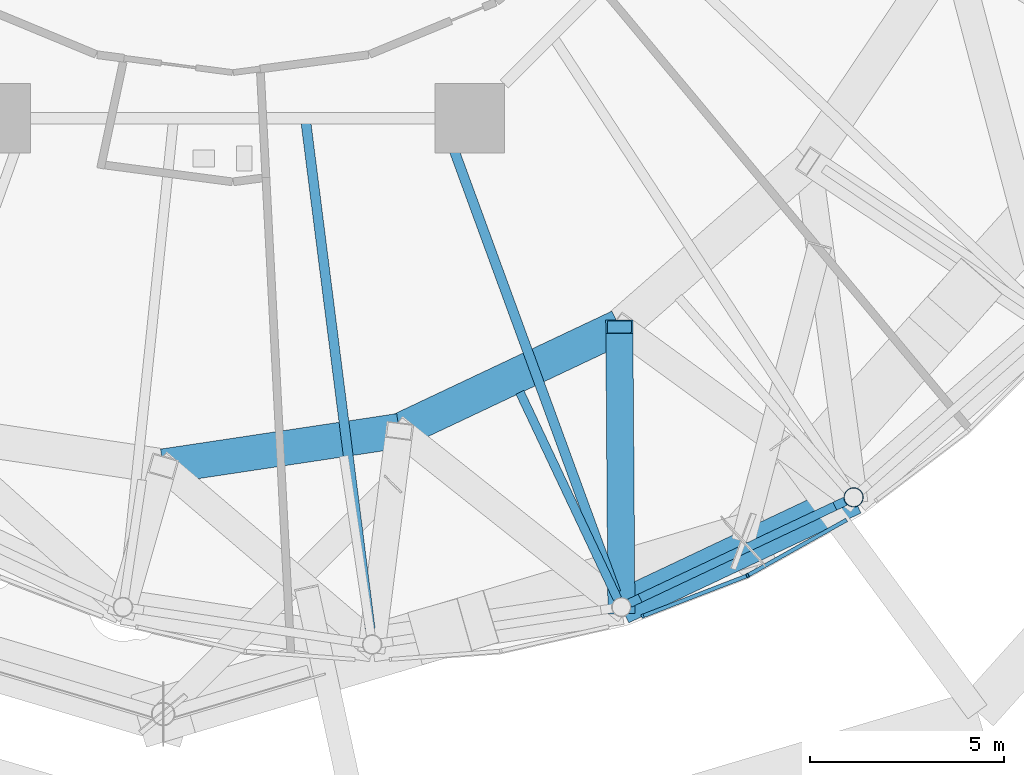
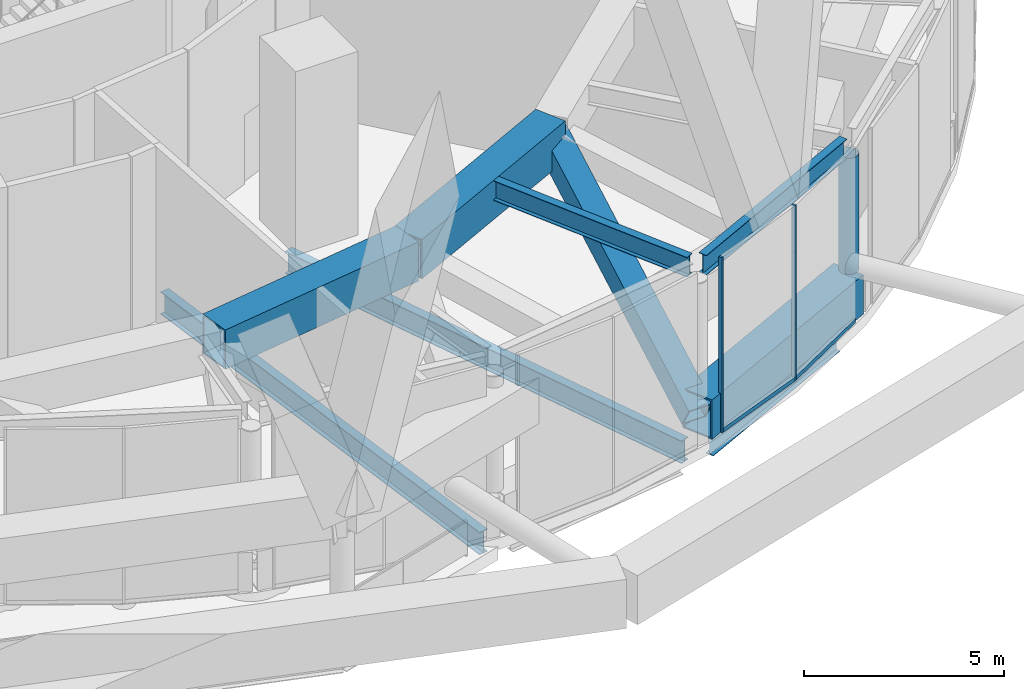
# One storey, part 16 of 60: 9 beams, 5 members, 2 elements without a shape of their own.
"""IFC4 building model written with IfcOpenShell, lengths in metres."""

from ifc_helpers import new_model, si_unit, direction, frame, origin, origin_2d, place, context, subcontext, project, spatial, rectangle, hollow_rectangle, hollow_circle, i_section, extrude, material, layer, layer_set, material_profile, profile_set, type_object, element, aggregate, save


model = new_model("IFC4")

# Units and contexts
model_context = context("Model", 3, precision=1e-05, world=origin(), true_north=direction((0.0, 1.0)))
body_context = subcontext(model_context, "Body", "Model", "MODEL_VIEW")
ifc_project = project(units=[si_unit("LENGTHUNIT", "METRE"), si_unit("AREAUNIT", "SQUARE_METRE"), si_unit("VOLUMEUNIT", "CUBIC_METRE"), si_unit("PLANEANGLEUNIT", "RADIAN"), si_unit("MASSUNIT", "GRAM", prefix="KILO")], contexts=[model_context])

# Site, building, storey
site_placement = place(None, origin())
site = spatial("IfcSite", under=ifc_project, at=site_placement, CompositionType="ELEMENT")
building_placement = place(site_placement, origin())
building = spatial("IfcBuilding", under=site, at=building_placement, Name="Nagisa Residences", CompositionType="ELEMENT")
storey_placement = place(building_placement, frame((0.0, 0.0, 206.60009765625)))
storey = spatial("IfcBuildingStorey", under=building, at=storey_placement, Name="L52", CompositionType="ELEMENT", Elevation=206.60009765625)

# Beams
ifc_material_1 = material(Name="Steel ASTM A572 Gr 50", Category="steel")
ifc_material_profile_1 = material_profile(ifc_material_1, hollow_rectangle(XDim=0.89990234375, YDim=1.199951171875, WallThickness=0.044921875, at=origin_2d()), Name="BX 900x1200x45")
ifc_profile_set_1 = profile_set([ifc_material_profile_1], Name="Steel ASTM A572 Gr 50")
beam_type_1 = type_object("IfcBeamType", Name="Belt chord 4 BX 900x1200x45", PredefinedType="BEAM", material=ifc_profile_set_1)
beam_1_placement = place(storey_placement, frame((-1.800048828125, -23.772216796875, 4.739990234375), z_axis=(0.988907595105, 0.14853204484, 0.0), x_axis=(-0.14853204484, 0.988907595105, 0.0)))
element("IfcBeam", 1, at=beam_1_placement, inside=storey, type_object=beam_type_1, Name="beam:L52:bt4t19", PredefinedType="BEAM", context=body_context, shape_type="SweptSolid", body=[
    extrude(hollow_rectangle(XDim=0.89990234375, YDim=1.199951171875, WallThickness=0.044921875, at=origin_2d()), origin(), (0.0, 0.0, 1.0), 6.168701171875),
])
beam_2_placement = place(storey_placement, frame((10.0380859375, -27.408203125, 0.599853515625), z_axis=(0.9041547037, 0.427205186973, 0.0), x_axis=(-0.427205186973, 0.9041547037, 0.0)))
element("IfcBeam", 2, at=beam_2_placement, inside=storey, type_object=beam_type_1, Name="beam:L52:bt4b20", PredefinedType="BEAM", context=body_context, shape_type="SweptSolid", body=[
    extrude(hollow_rectangle(XDim=0.89990234375, YDim=1.199951171875, WallThickness=0.044921875, at=origin_2d()), origin(), (0.0, 0.0, 1.0), 6.635498046875),
])
beam_3_placement = place(storey_placement, frame((4.30029296875, -22.85595703125, 4.739990234375), z_axis=(0.904139086666, 0.427238237946, 0.0), x_axis=(-0.427238237946, 0.904139086666, 0.0)))
element("IfcBeam", 3, at=beam_3_placement, inside=storey, type_object=beam_type_1, Name="beam:L52:bt4t20", PredefinedType="BEAM", context=body_context, shape_type="SweptSolid", body=[
    extrude(hollow_rectangle(XDim=0.89990234375, YDim=1.199951171875, WallThickness=0.044921875, at=origin_2d()), origin(), (0.0, 0.0, 1.0), 6.28759765625),
])
ifc_material_2 = material(Name="Steel ASTM A572 Gr 50", Category="steel")
ifc_material_profile_2 = material_profile(ifc_material_2, hollow_rectangle(XDim=0.699951171875, YDim=0.699951171875, WallThickness=0.0400390625, at=origin_2d()), Name="BX 700x700x40")
ifc_profile_set_2 = profile_set([ifc_material_profile_2], Name="Steel ASTM A572 Gr 50")
beam_type_2 = type_object("IfcBeamType", Name="Belt diagonal 4 BX 700x700x40", PredefinedType="BEAM", material=ifc_profile_set_2)
beam_4_placement = place(storey_placement, frame((10.0380859375, -27.408203125, 0.599853515625), z_axis=(-0.006353062134, 0.868027369618, 0.496475703531), x_axis=(-0.99997321745, -0.007318769206, 0.0)))
element("IfcBeam", 4, at=beam_4_placement, inside=storey, type_object=beam_type_2, Name="beam:L52:bt4db20", PredefinedType="BEAM", context=body_context, shape_type="SweptSolid", body=[
    extrude(hollow_rectangle(XDim=0.699951171875, YDim=0.699951171875, WallThickness=0.0400390625, at=origin_2d()), origin(), (0.0, 0.0, 1.0), 8.339111328125),
])

# Curtain wall, member
ifc_material_3 = material(Name="Aluminium curtain wall system", Category="aluminium")
ifc_layer = layer(ifc_material_3, 0.159912109375)
ifc_layer_set = layer_set([ifc_layer], Name="CW5 CURTAIN WALL")
curtain_wall_type = type_object("IfcCurtainWallType", Name="CW5 CURTAIN WALL", PredefinedType="NOTDEFINED", material=ifc_layer_set)
curtain_wall_1_placement = place(storey_placement, origin())
curtain_wall_1 = element("IfcCurtainWall", 5, at=curtain_wall_1_placement, inside=storey, type_object=curtain_wall_type, Name="cw:CW5:L52:38", PredefinedType="NOTDEFINED")
ifc_material_4 = material(Name="Aluminium", Category="aluminium")
ifc_material_profile_3 = material_profile(ifc_material_4, rectangle(XDim=0.10009765625, YDim=0.06005859375, at=origin_2d()), Name="CW5 MULLION 100x60")
ifc_profile_set_3 = profile_set([ifc_material_profile_3], Name="Aluminium")
member_type_1 = type_object("IfcMemberType", Name="CW5 MULLION 100x60", PredefinedType="MULLION", material=ifc_profile_set_3)
member_1_placement = place(storey_placement, frame((10.58642578125, -27.6435546875, 0.0), z_axis=(0.0, 0.0, 1.0), x_axis=(-0.360327770268, 0.932825759707, 0.0)))
member_1 = element("IfcMember", 6, at=member_1_placement, type_object=member_type_1, Name="CW5 mullion", PredefinedType="MULLION", context=body_context, shape_type="SweptSolid", body=[
    extrude(rectangle(XDim=0.10009765625, YDim=0.06005859375, at=origin_2d()), origin(), (0.0, 0.0, 1.0), 5.33984375),
])

curtain_wall_2_placement = place(storey_placement, origin())
curtain_wall_2 = element("IfcCurtainWall", 7, at=curtain_wall_2_placement, inside=storey, type_object=curtain_wall_type, Name="cw:CW5:L52:39", PredefinedType="NOTDEFINED")
member_2_placement = place(storey_placement, frame((13.297607421875, -26.592529296875, 0.0), z_axis=(0.0, 0.0, 1.0), x_axis=(-0.489376918501, 0.872072377523, 0.0)))
member_2 = element("IfcMember", 8, at=member_2_placement, type_object=member_type_1, Name="CW5 mullion", PredefinedType="MULLION", context=body_context, shape_type="SweptSolid", body=[
    extrude(rectangle(XDim=0.10009765625, YDim=0.06005859375, at=origin_2d()), origin(), (0.0, 0.0, 1.0), 5.33984375),
])

# Member
ifc_material_5 = material(Name="Aluminium", Category="aluminium")
ifc_material_profile_4 = material_profile(ifc_material_5, rectangle(XDim=0.10009765625, YDim=0.1201171875, at=origin_2d()), Name="CW5 TRANSOM 100x120")
ifc_profile_set_4 = profile_set([ifc_material_profile_4], Name="Aluminium")
member_type_2 = type_object("IfcMemberType", Name="CW5 TRANSOM 100x120", PredefinedType="USERDEFINED", material=ifc_profile_set_4)
member_3_placement = place(storey_placement, frame((10.55859375, -27.654296875, 0.059814453125), z_axis=(0.932812191101, 0.360362895056, 0.0), x_axis=(-0.360362895056, 0.932812191101, 0.0)))
member_3 = element("IfcMember", 9, at=member_3_placement, type_object=member_type_2, Name="CW5 transom", ObjectType="TRANSOM", PredefinedType="USERDEFINED", context=body_context, shape_type="SweptSolid", body=[
    extrude(rectangle(XDim=0.10009765625, YDim=0.1201171875, at=origin_2d()), origin(), (0.0, 0.0, 1.0), 2.919189453125),
])

aggregate(curtain_wall_1, [member_1, member_3])

member_4_placement = place(storey_placement, frame((13.271484375, -26.607177734375, 0.059814453125), z_axis=(0.872089879438, 0.489345728685, 0.0), x_axis=(-0.489345728685, 0.872089879438, 0.0)))
member_4 = element("IfcMember", 10, at=member_4_placement, type_object=member_type_2, Name="CW5 transom", ObjectType="TRANSOM", PredefinedType="USERDEFINED", context=body_context, shape_type="SweptSolid", body=[
    extrude(rectangle(XDim=0.10009765625, YDim=0.1201171875, at=origin_2d()), origin(), (0.0, 0.0, 1.0), 2.963623046875),
])

aggregate(curtain_wall_2, [member_2, member_4])

# Beam
ifc_material_6 = material(Name="Steel ASTM A572 Gr 50", Category="steel")
ifc_material_profile_5 = material_profile(ifc_material_6, i_section(OverallWidth=0.22802734375, OverallDepth=0.60302734375, WebThickness=0.010498046875, FlangeThickness=0.014892578125, at=origin_2d()), Name="W610x101")
ifc_profile_set_5 = profile_set([ifc_material_profile_5], Name="Steel ASTM A572 Gr 50")
beam_type_3 = type_object("IfcBeamType", Name="Garden edge beam W610x101", PredefinedType="BEAM", material=ifc_profile_set_5)
beam_5_placement = place(storey_placement, frame((10.249755859375, -27.30810546875, 5.038330078125), z_axis=(0.90415011909, 0.427214889896, 0.0), x_axis=(-0.427214889896, 0.90415011909, 0.0)))
element("IfcBeam", 11, at=beam_5_placement, inside=storey, type_object=beam_type_3, Name="beam:L52:bt4ge20", PredefinedType="BEAM", context=body_context, shape_type="SweptSolid", body=[
    extrude(i_section(OverallWidth=0.22802734375, OverallDepth=0.60302734375, WebThickness=0.010498046875, FlangeThickness=0.014892578125, at=origin_2d()), origin(), (0.0, 0.0, 1.0), 6.167236328125),
])

# Member
ifc_material_7 = material(Name="Steel ASTM A572 Gr 65", Category="steel")
ifc_material_profile_6 = material_profile(ifc_material_7, hollow_circle(Radius=0.25390625, WallThickness=0.02001953125, at=origin_2d()), Name="CHS 508x20")
ifc_profile_set_6 = profile_set([ifc_material_profile_6], Name="Steel ASTM A572 Gr 65")
member_type_3 = type_object("IfcMemberType", Name="Garden edge post CHS 508x20", PredefinedType="POST", material=ifc_profile_set_6)
member_5_placement = place(storey_placement, frame((16.03759765625, -24.573486328125, 1.199951171875), z_axis=(0.0, 0.0, 1.0), x_axis=(1.0, 0.0, 0.0)))
element("IfcMember", 12, at=member_5_placement, inside=storey, type_object=member_type_3, Name="mem:L52:gp421", PredefinedType="POST", context=body_context, shape_type="SweptSolid", body=[
    extrude(hollow_circle(Radius=0.25390625, WallThickness=0.02001953125, at=origin_2d()), origin(), (0.0, 0.0, 1.0), 3.536865234375),
])

# Beams
ifc_material_8 = material(Name="Steel ASTM A572 Gr 50", Category="steel")
ifc_material_profile_7 = material_profile(ifc_material_8, i_section(OverallWidth=0.22802734375, OverallDepth=0.60302734375, WebThickness=0.010498046875, FlangeThickness=0.014892578125, at=origin_2d()), Name="W610x101")
ifc_profile_set_7 = profile_set([ifc_material_profile_7], Name="Steel ASTM A572 Gr 50")
beam_type_4 = type_object("IfcBeamType", Name="Garden radial beam W610x101", PredefinedType="BEAM", material=ifc_profile_set_7)
beam_6_placement = place(storey_placement, frame((9.938232421875, -27.196533203125, 5.038330078125), z_axis=(-0.427268368643, 0.904124848214, 0.0), x_axis=(-0.904124848214, -0.427268368643, 0.0)))
element("IfcBeam", 13, at=beam_6_placement, inside=storey, type_object=beam_type_4, Name="beam:L52:bt4gr20", PredefinedType="BEAM", context=body_context, shape_type="SweptSolid", body=[
    extrude(i_section(OverallWidth=0.22802734375, OverallDepth=0.60302734375, WebThickness=0.010498046875, FlangeThickness=0.014892578125, at=origin_2d()), origin(), (0.0, 0.0, 1.0), 5.903076171875),
])
ifc_material_9 = material(Name="Steel ASTM A572 Gr 50", Category="steel")
ifc_material_profile_8 = material_profile(ifc_material_9, i_section(OverallWidth=0.22802734375, OverallDepth=0.60302734375, WebThickness=0.010498046875, FlangeThickness=0.014892578125, at=origin_2d()), Name="W610x101")
ifc_profile_set_8 = profile_set([ifc_material_profile_8], Name="Steel ASTM A572 Gr 50")
beam_type_5 = type_object("IfcBeamType", Name="Perimeter ring beam W610x101", PredefinedType="BEAM", material=ifc_profile_set_8)
beam_7_placement = place(storey_placement, frame((10.522705078125, -27.17919921875, -0.651611328125), z_axis=(0.904157325884, 0.427199637232, 0.0), x_axis=(-0.427199637232, 0.904157325884, 0.0)))
element("IfcBeam", 14, at=beam_7_placement, inside=storey, type_object=beam_type_5, Name="beam:L52:pb20", PredefinedType="BEAM", context=body_context, shape_type="SweptSolid", body=[
    extrude(i_section(OverallWidth=0.22802734375, OverallDepth=0.60302734375, WebThickness=0.010498046875, FlangeThickness=0.014892578125, at=origin_2d()), origin(), (0.0, 0.0, 1.0), 5.56396484375),
])
ifc_material_10 = material(Name="Steel ASTM A572 Gr 50", Category="steel")
ifc_material_profile_9 = material_profile(ifc_material_10, i_section(OverallWidth=0.25390625, OverallDepth=0.68408203125, WebThickness=0.012451171875, FlangeThickness=0.018798828125, at=origin_2d()), Name="W690x140")
ifc_profile_set_9 = profile_set([ifc_material_profile_9], Name="Steel ASTM A572 Gr 50")
beam_type_6 = type_object("IfcBeamType", Name="Radial beam W690x140", PredefinedType="BEAM", material=ifc_profile_set_9)
beam_8_placement = place(storey_placement, frame((3.548583984375, -27.9697265625, -0.692138671875), z_axis=(-0.125869416884, 0.992046818398, 0.0), x_axis=(-0.992046818398, -0.125869416884, 0.0)))
element("IfcBeam", 15, at=beam_8_placement, inside=storey, type_object=beam_type_6, Name="beam:L52:rb19", PredefinedType="BEAM", context=body_context, shape_type="SweptSolid", body=[
    extrude(i_section(OverallWidth=0.25390625, OverallDepth=0.68408203125, WebThickness=0.012451171875, FlangeThickness=0.018798828125, at=origin_2d()), origin(), (0.0, 0.0, 1.0), 13.166259765625),
])
beam_9_placement = place(storey_placement, frame((9.898681640625, -27.02734375, -0.692138671875), z_axis=(-0.343906656608, 0.939003840003, 0.0), x_axis=(-0.939003840003, -0.343906656608, 0.0)))
element("IfcBeam", 16, at=beam_9_placement, inside=storey, type_object=beam_type_6, Name="beam:L52:rb20", PredefinedType="BEAM", context=body_context, shape_type="SweptSolid", body=[
    extrude(i_section(OverallWidth=0.25390625, OverallDepth=0.68408203125, WebThickness=0.012451171875, FlangeThickness=0.018798828125, at=origin_2d()), origin(), (0.0, 0.0, 1.0), 12.9052734375),
])

save(model, "model.ifc")
